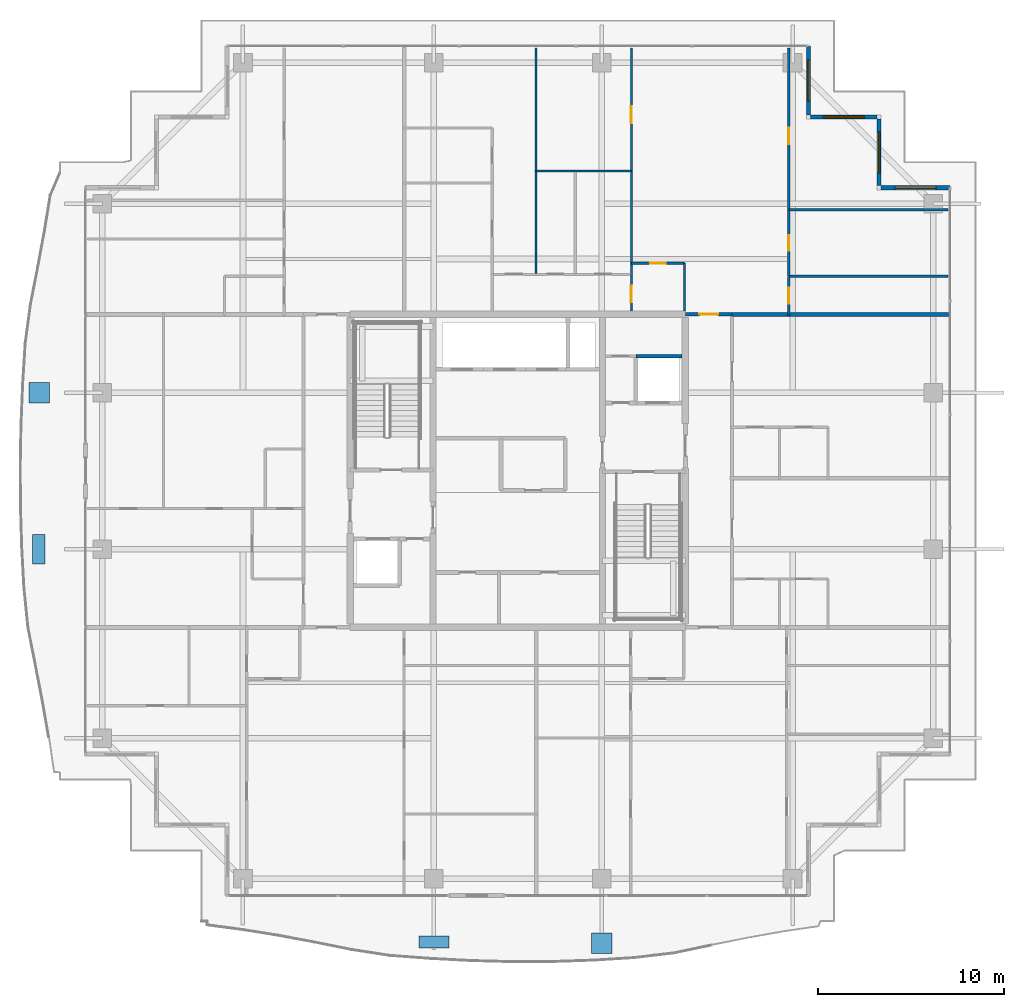
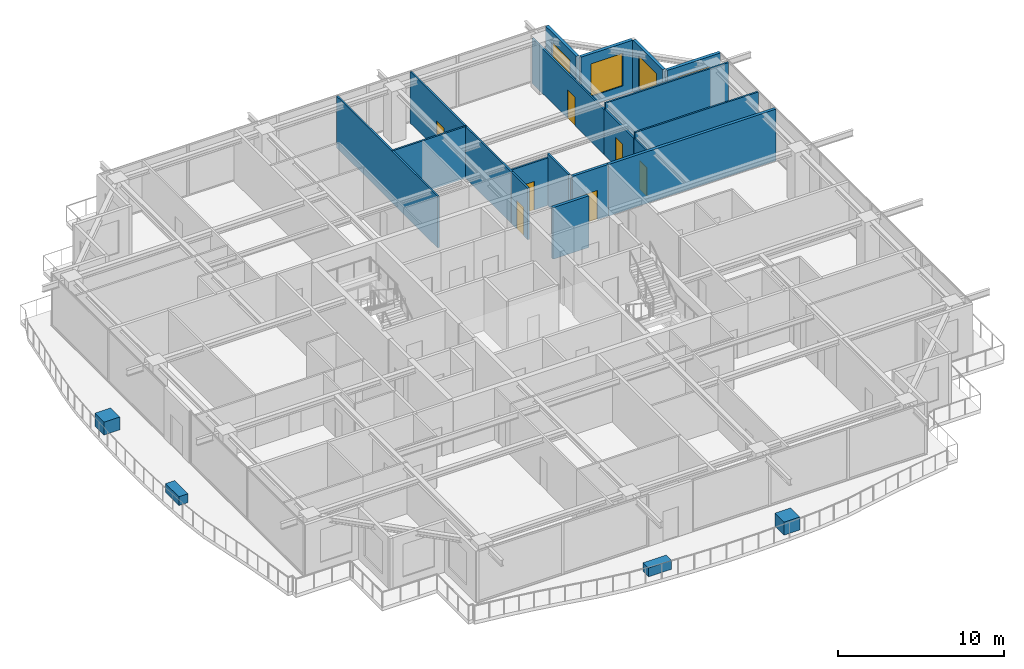
# One storey, part 31 of 38: 19 walls, 7 doors, 4 discrete accessories, 4 windows, 11 openings.
"""IFC4 building model written with IfcOpenShell, lengths in metres."""

from ifc_helpers import new_model, si_unit, direction, frame, frame_2d, origin, origin_2d, place, context, subcontext, project, spatial, rectangle, extrude, source, transform, mapped, material, layer, layer_set, type_object, element, fill, save


model = new_model("IFC4")

# Units and contexts
model_context = context("Model", 3, precision=1e-05, world=origin(), true_north=direction((0.0, 1.0)))
body_context = subcontext(model_context, "Body", "Model", "MODEL_VIEW")
ifc_project = project(units=[si_unit("LENGTHUNIT", "METRE"), si_unit("AREAUNIT", "SQUARE_METRE"), si_unit("VOLUMEUNIT", "CUBIC_METRE"), si_unit("PLANEANGLEUNIT", "RADIAN"), si_unit("MASSUNIT", "GRAM", prefix="KILO")], contexts=[model_context])

# Site, building, storey
site_placement = place(None, origin())
site = spatial("IfcSite", under=ifc_project, at=site_placement, CompositionType="ELEMENT")
building_placement = place(site_placement, origin())
building = spatial("IfcBuilding", under=site, at=building_placement, Name="Serunith Strait Residences", CompositionType="ELEMENT")
storey_placement = place(building_placement, frame((0.0, 0.0, 321.800048828125)))
storey = spatial("IfcBuildingStorey", under=building, at=storey_placement, Name="L80", CompositionType="ELEMENT", Elevation=321.800048828125)

# Wall, opening, window
ifc_material_1 = material(Name="Pale-Champagne Aluminium Insulated Panel", Category="aluminium")
ifc_layer_1 = layer(ifc_material_1, 0.219970703125, Name="Pale-Champagne Aluminium Insulated Panel")
ifc_layer_set_1 = layer_set([ifc_layer_1], Name="Pale-Champagne Aluminium Insulated Panel")
wall_type_1 = type_object("IfcWallType", Name="EW-ALUM-220", PredefinedType="ELEMENTEDWALL", material=ifc_layer_set_1)
wall_1_placement = place(storey_placement, frame((55.60009765625, 40.39990234375, 0.0), z_axis=(0.0, 0.0, 1.0), x_axis=(-1.0, 0.0, 0.0)))
wall_1 = element("IfcWall", 1, at=wall_1_placement, inside=storey, type_object=wall_type_1, Name="L80 Girih Serrated Corner Wall 07", PredefinedType="ELEMENTEDWALL", context=body_context, shape_type="SweptSolid", body=[
    extrude(rectangle(XDim=3.690185546875, YDim=0.219970703125, at=frame_2d((1.84521484375, 0.0))), origin(), (0.0, 0.0, 1.0), 3.77490234375),
])
opening_1_placement = place(wall_1_placement, frame((0.7451171875, 0.0, 0.64990234375)))
opening_1 = element("IfcOpeningElement", 2, at=opening_1_placement, cuts=wall_1, Name="Opening W-06", PredefinedType="OPENING", context=body_context, shape_type="SweptSolid", body=[
    extrude(rectangle(XDim=2.199951171875, YDim=2.39990234375, at=frame_2d((1.10009765625, 1.199951171875))), frame((0.0, 0.1201171875, 0.0), z_axis=(0.0, -1.0, 0.0), x_axis=(1.0, 0.0, 0.0)), (0.0, 0.0, 1.0), 0.239990234375),
])
ifc_material_2 = material(Name="Crown Penthouse Low-E Operable Window Glass", Category="glass")
window_type = type_object("IfcWindowType", Name="WIN-C6", PartitioningType="TRIPLE_PANEL_VERTICAL", PredefinedType="WINDOW", material=ifc_material_2)
shared_shape_1 = source(origin(), body_context, "Body", "SweptSolid", [
    extrude(rectangle(XDim=2.199951171875, YDim=2.39990234375, at=frame_2d((1.10009765625, 1.199951171875))), frame((0.0, 0.030029296875, 0.0), z_axis=(0.0, -1.0, 0.0), x_axis=(1.0, 0.0, 0.0)), (0.0, 0.0, 1.0), 0.06005859375),
])
window_1_placement = place(opening_1_placement, origin())
window_1 = element("IfcWindow", 3, at=window_1_placement, inside=storey, type_object=window_type, Name="L80 Corner Operable Fritted Window 07", OverallHeight=2.39990234375, OverallWidth=2.199951171875, PartitioningType="SINGLE_PANEL", PredefinedType="WINDOW", context=body_context, shape_type="MappedRepresentation", body=[
    mapped(shared_shape_1, transform((0.0, 0.0, 0.0), scale=1.0)),
])
fill(opening_1, window_1)

wall_2_placement = place(storey_placement, frame((51.800048828125, 40.510009765625, 0.0), z_axis=(0.0, 0.0, 1.0), x_axis=(0.0, 1.0, 0.0)))
wall_2 = element("IfcWall", 4, at=wall_2_placement, inside=storey, type_object=wall_type_1, Name="L80 Girih Serrated Corner Wall 08", PredefinedType="ELEMENTEDWALL", context=body_context, shape_type="SweptSolid", body=[
    extrude(rectangle(XDim=3.580078125, YDim=0.219970703125, at=frame_2d((1.7900390625, 0.0))), origin(), (0.0, 0.0, 1.0), 3.77490234375),
])
opening_2_placement = place(wall_2_placement, frame((0.68994140625, 0.0, 0.64990234375)))
opening_2 = element("IfcOpeningElement", 5, at=opening_2_placement, cuts=wall_2, Name="Opening W-06", PredefinedType="OPENING", context=body_context, shape_type="SweptSolid", body=[
    extrude(rectangle(XDim=2.199951171875, YDim=2.39990234375, at=frame_2d((1.10009765625, 1.199951171875))), frame((0.0, 0.1201171875, 0.0), z_axis=(0.0, -1.0, 0.0), x_axis=(1.0, 0.0, 0.0)), (0.0, 0.0, 1.0), 0.239990234375),
])
window_2_placement = place(opening_2_placement, origin())
window_2 = element("IfcWindow", 6, at=window_2_placement, inside=storey, type_object=window_type, Name="L80 Corner Operable Fritted Window 08", OverallHeight=2.39990234375, OverallWidth=2.199951171875, PartitioningType="SINGLE_PANEL", PredefinedType="WINDOW", context=body_context, shape_type="MappedRepresentation", body=[
    mapped(shared_shape_1, transform((0.0, 0.0, 0.0), scale=1.0)),
])
fill(opening_2, window_2)

wall_3_placement = place(storey_placement, frame((51.68994140625, 44.199951171875, 0.0), z_axis=(0.0, 0.0, 1.0), x_axis=(-1.0, 0.0, 0.0)))
wall_3 = element("IfcWall", 7, at=wall_3_placement, inside=storey, type_object=wall_type_1, Name="L80 Girih Serrated Corner Wall 09", PredefinedType="ELEMENTEDWALL", context=body_context, shape_type="SweptSolid", body=[
    extrude(rectangle(XDim=3.579833984375, YDim=0.219970703125, at=frame_2d((1.7900390625, 0.0))), origin(), (0.0, 0.0, 1.0), 3.77490234375),
])
opening_3_placement = place(wall_3_placement, frame((0.68994140625, 0.0, 0.64990234375)))
opening_3 = element("IfcOpeningElement", 8, at=opening_3_placement, cuts=wall_3, Name="Opening W-06", PredefinedType="OPENING", context=body_context, shape_type="SweptSolid", body=[
    extrude(rectangle(XDim=2.199951171875, YDim=2.39990234375, at=frame_2d((1.10009765625, 1.199951171875))), frame((0.0, 0.1201171875, 0.0), z_axis=(0.0, -1.0, 0.0), x_axis=(1.0, 0.0, 0.0)), (0.0, 0.0, 1.0), 0.239990234375),
])
window_3_placement = place(opening_3_placement, origin())
window_3 = element("IfcWindow", 9, at=window_3_placement, inside=storey, type_object=window_type, Name="L80 Corner Operable Fritted Window 09", OverallHeight=2.39990234375, OverallWidth=2.199951171875, PartitioningType="SINGLE_PANEL", PredefinedType="WINDOW", context=body_context, shape_type="MappedRepresentation", body=[
    mapped(shared_shape_1, transform((0.0, 0.0, 0.0), scale=1.0)),
])
fill(opening_3, window_3)

wall_4_placement = place(storey_placement, frame((48.0, 44.31005859375, 0.0), z_axis=(0.0, 0.0, 1.0), x_axis=(0.0, 1.0, 0.0)))
wall_4 = element("IfcWall", 10, at=wall_4_placement, inside=storey, type_object=wall_type_1, Name="L80 Girih Serrated Corner Wall 10", PredefinedType="ELEMENTEDWALL", context=body_context, shape_type="SweptSolid", body=[
    extrude(rectangle(XDim=3.68994140625, YDim=0.219970703125, at=frame_2d((1.844970703125, 0.0))), origin(), (0.0, 0.0, 1.0), 3.77490234375),
])
opening_4_placement = place(wall_4_placement, frame((0.7451171875, 0.0, 0.64990234375)))
opening_4 = element("IfcOpeningElement", 11, at=opening_4_placement, cuts=wall_4, Name="Opening W-06", PredefinedType="OPENING", context=body_context, shape_type="SweptSolid", body=[
    extrude(rectangle(XDim=2.199951171875, YDim=2.39990234375, at=frame_2d((1.10009765625, 1.199951171875))), frame((0.0, 0.1201171875, 0.0), z_axis=(0.0, -1.0, 0.0), x_axis=(1.0, 0.0, 0.0)), (0.0, 0.0, 1.0), 0.239990234375),
])
window_4_placement = place(opening_4_placement, origin())
window_4 = element("IfcWindow", 12, at=window_4_placement, inside=storey, type_object=window_type, Name="L80 Corner Operable Fritted Window 10", OverallHeight=2.39990234375, OverallWidth=2.199951171875, PartitioningType="SINGLE_PANEL", PredefinedType="WINDOW", context=body_context, shape_type="MappedRepresentation", body=[
    mapped(shared_shape_1, transform((0.0, 0.0, 0.0), scale=1.0)),
])
fill(opening_4, window_4)

# Wall, opening, door
ifc_material_3 = material(Name="Fire-rated acoustic gypsum partition")
ifc_layer_2 = layer(ifc_material_3, 0.179931640625, Name="Fire-rated acoustic gypsum partition")
ifc_layer_set_2 = layer_set([ifc_layer_2], Name="Fire-rated acoustic gypsum partition")
wall_type_2 = type_object("IfcWallType", Name="IW-CORR-180", PredefinedType="PARTITIONING", material=ifc_layer_set_2)
wall_5_placement = place(storey_placement, frame((41.402099609375, 33.60009765625, 0.0), z_axis=(0.0, 0.0, 1.0), x_axis=(1.0, 0.0, 0.0)))
wall_5 = element("IfcWall", 13, at=wall_5_placement, inside=storey, type_object=wall_type_2, Name="L80 Partition Wall 030", PredefinedType="PARTITIONING", context=body_context, shape_type="SweptSolid", body=[
    extrude(rectangle(XDim=2.495849609375, YDim=0.179931640625, at=frame_2d((1.248046875, 0.0))), origin(), (0.0, 0.0, 1.0), 3.7900390625),
])
opening_5_placement = place(wall_5_placement, frame((0.748046875, 0.0, 0.0)))
opening_5 = element("IfcOpeningElement", 14, at=opening_5_placement, cuts=wall_5, Name="Opening D-APT1000", PredefinedType="OPENING", context=body_context, shape_type="SweptSolid", body=[
    extrude(rectangle(XDim=1.0, YDim=2.14990234375, at=frame_2d((0.5, 1.074951171875))), frame((0.0, 0.10009765625, 0.0), z_axis=(0.0, -1.0, 0.0), x_axis=(1.0, 0.0, 0.0)), (0.0, 0.0, 1.0), 0.199951171875),
])
ifc_material_4 = material(Name="Solid timber engineered fire door", Category="wood")
door_type_1 = type_object("IfcDoorType", Name="ID-APT-1000", OperationType="NOTDEFINED", PredefinedType="DOOR", material=ifc_material_4)
shared_shape_2 = source(origin(), body_context, "Body", "SweptSolid", [
    extrude(rectangle(XDim=1.0, YDim=2.14990234375, at=frame_2d((0.5, 1.074951171875))), frame((0.0, 0.02490234375, 0.0), z_axis=(0.0, -1.0, 0.0), x_axis=(1.0, 0.0, 0.0)), (0.0, 0.0, 1.0), 0.050048828125),
])
door_1_placement = place(opening_5_placement, origin())
door_1 = element("IfcDoor", 15, at=door_1_placement, inside=storey, type_object=door_type_1, Name="L80 Unit 04 Entrance Door", OperationType="SINGLE_SWING_LEFT", OverallHeight=2.14990234375, OverallWidth=1.0, PredefinedType="DOOR", context=body_context, shape_type="MappedRepresentation", body=[
    mapped(shared_shape_2, transform((0.0, 0.0, 0.0), scale=1.0)),
])
fill(opening_5, door_1)

ifc_material_5 = material(Name="Lightweight steel-stud gypsum partition", Category="steel")
ifc_layer_3 = layer(ifc_material_5, 0.1201171875, Name="Lightweight steel-stud gypsum partition")
ifc_layer_set_3 = layer_set([ifc_layer_3], Name="Lightweight steel-stud gypsum partition")
wall_type_3 = type_object("IfcWallType", Name="IW-PART-120", PredefinedType="PARTITIONING", material=ifc_layer_set_3)
wall_6_placement = place(storey_placement, frame((38.5, 36.35009765625, 0.0), z_axis=(0.0, 0.0, 1.0), x_axis=(1.0, 0.0, 0.0)))
wall_6 = element("IfcWall", 16, at=wall_6_placement, inside=storey, type_object=wall_type_3, Name="L80 Partition Wall 064", PredefinedType="PARTITIONING", context=body_context, shape_type="SweptSolid", body=[
    extrude(rectangle(XDim=2.85009765625, YDim=0.1201171875, at=frame_2d((1.425048828125, 0.0))), origin(), (0.0, 0.0, 1.0), 3.491943359375),
])
opening_6_placement = place(wall_6_placement, frame((1.0, 0.0, 0.0)))
opening_6 = element("IfcOpeningElement", 17, at=opening_6_placement, cuts=wall_6, Name="Opening D-RM850", PredefinedType="OPENING", context=body_context, shape_type="SweptSolid", body=[
    extrude(rectangle(XDim=0.85009765625, YDim=2.10009765625, at=frame_2d((0.425048828125, 1.050048828125))), frame((0.0, 0.070068359375, 0.0), z_axis=(0.0, -1.0, 0.0), x_axis=(1.0, 0.0, 0.0)), (0.0, 0.0, 1.0), 0.14013671875),
])
ifc_material_6 = material(Name="Engineered timber flush study and kitchen door", Category="wood")
door_type_2 = type_object("IfcDoorType", Name="ID-ROOM-850", OperationType="NOTDEFINED", PredefinedType="DOOR", material=ifc_material_6)
shared_shape_3 = source(origin(), body_context, "Body", "SweptSolid", [
    extrude(rectangle(XDim=0.85009765625, YDim=2.10009765625, at=frame_2d((0.425048828125, 1.050048828125))), frame((0.0, 0.02490234375, 0.0), z_axis=(0.0, -1.0, 0.0), x_axis=(1.0, 0.0, 0.0)), (0.0, 0.0, 1.0), 0.050048828125),
])
door_2_placement = place(opening_6_placement, origin())
door_2 = element("IfcDoor", 18, at=door_2_placement, inside=storey, type_object=door_type_2, Name="L80 Kitchen 8004 Door", OperationType="SINGLE_SWING_RIGHT", OverallHeight=2.10009765625, OverallWidth=0.85009765625, PredefinedType="DOOR", context=body_context, shape_type="MappedRepresentation", body=[
    mapped(shared_shape_3, transform((0.0, 0.0, 0.0), scale=1.0)),
])
fill(opening_6, door_2)

# Wall
wall_7_placement = place(storey_placement, frame((41.35009765625, 36.35009765625, 0.0), z_axis=(0.0, 0.0, 1.0), x_axis=(0.0, -1.0, 0.0)))
element("IfcWall", 19, at=wall_7_placement, inside=storey, type_object=wall_type_3, Name="L80 Partition Wall 065", PredefinedType="PARTITIONING", context=body_context, shape_type="SweptSolid", body=[
    extrude(rectangle(XDim=2.5751953125, YDim=0.1201171875, at=frame_2d((1.28759765625, 0.0))), origin(), (0.0, 0.0, 1.0), 3.7900390625),
])

# Wall, opening, door
wall_8_placement = place(storey_placement, frame((38.5, 35.75, 0.0), z_axis=(0.0, 0.0, 1.0), x_axis=(0.0, -1.0, 0.0)))
wall_8 = element("IfcWall", 20, at=wall_8_placement, inside=storey, type_object=wall_type_3, Name="L80 Partition Wall 066", PredefinedType="PARTITIONING", context=body_context, shape_type="SweptSolid", body=[
    extrude(rectangle(XDim=1.97509765625, YDim=0.1201171875, at=frame_2d((0.987548828125, 0.0))), origin(), (0.0, 0.0, 1.0), 3.7900390625),
])
opening_7_placement = place(wall_8_placement, frame((0.60107421875, 0.0, 0.0)))
opening_7 = element("IfcOpeningElement", 21, at=opening_7_placement, cuts=wall_8, Name="Opening D-RM900", PredefinedType="OPENING", context=body_context, shape_type="SweptSolid", body=[
    extrude(rectangle(XDim=0.89990234375, YDim=2.10009765625, at=frame_2d((0.449951171875, 1.050048828125))), frame((0.0, 0.070068359375, 0.0), z_axis=(0.0, -1.0, 0.0), x_axis=(1.0, 0.0, 0.0)), (0.0, 0.0, 1.0), 0.14013671875),
])
ifc_material_7 = material(Name="Engineered timber flush bedroom door", Category="wood")
door_type_3 = type_object("IfcDoorType", Name="ID-ROOM-900", OperationType="NOTDEFINED", PredefinedType="DOOR", material=ifc_material_7)
shared_shape_4 = source(origin(), body_context, "Body", "SweptSolid", [
    extrude(rectangle(XDim=0.89990234375, YDim=2.10009765625, at=frame_2d((0.449951171875, 1.050048828125))), frame((0.0, 0.02490234375, 0.0), z_axis=(0.0, -1.0, 0.0), x_axis=(1.0, 0.0, 0.0)), (0.0, 0.0, 1.0), 0.050048828125),
])
door_3_placement = place(opening_7_placement, origin())
door_3 = element("IfcDoor", 22, at=door_3_placement, inside=storey, type_object=door_type_3, Name="L80 Hall W 8004 Door", OperationType="SINGLE_SWING_LEFT", OverallHeight=2.10009765625, OverallWidth=0.89990234375, PredefinedType="DOOR", context=body_context, shape_type="MappedRepresentation", body=[
    mapped(shared_shape_4, transform((0.0, 0.0, 0.0), scale=1.0)),
])
fill(opening_7, door_3)

wall_9_placement = place(storey_placement, frame((38.5, 47.905029296875, 0.0), z_axis=(0.0, 0.0, 1.0), x_axis=(0.0, -1.0, 0.0)))
wall_9 = element("IfcWall", 23, at=wall_9_placement, inside=storey, type_object=wall_type_3, Name="L80 Partition Wall 067", PredefinedType="PARTITIONING", context=body_context, shape_type="SweptSolid", body=[
    extrude(rectangle(XDim=6.60009765625, YDim=0.1201171875, at=frame_2d((3.300048828125, 0.0))), origin(), (0.0, 0.0, 1.0), 3.7900390625),
])
opening_8_placement = place(wall_9_placement, frame((3.135009765625, 0.0, 0.0)))
opening_8 = element("IfcOpeningElement", 24, at=opening_8_placement, cuts=wall_9, Name="Opening D-RM900", PredefinedType="OPENING", context=body_context, shape_type="SweptSolid", body=[
    extrude(rectangle(XDim=0.89990234375, YDim=2.10009765625, at=frame_2d((0.449951171875, 1.050048828125))), frame((0.0, 0.070068359375, 0.0), z_axis=(0.0, -1.0, 0.0), x_axis=(1.0, 0.0, 0.0)), (0.0, 0.0, 1.0), 0.14013671875),
])
door_4_placement = place(opening_8_placement, origin())
door_4 = element("IfcDoor", 25, at=door_4_placement, inside=storey, type_object=door_type_3, Name="L80 Formal Dining Room 1 8004 Door", OperationType="SINGLE_SWING_RIGHT", OverallHeight=2.10009765625, OverallWidth=0.89990234375, PredefinedType="DOOR", context=body_context, shape_type="MappedRepresentation", body=[
    mapped(shared_shape_4, transform((0.0, 0.0, 0.0), scale=1.0)),
])
fill(opening_8, door_4)

# Walls
wall_10_placement = place(storey_placement, frame((38.5, 41.302978515625, 0.0), z_axis=(0.0, 0.0, 1.0), x_axis=(0.0, -1.0, 0.0)))
element("IfcWall", 26, at=wall_10_placement, inside=storey, type_object=wall_type_3, Name="L80 Partition Wall 068", PredefinedType="PARTITIONING", context=body_context, shape_type="SweptSolid", body=[
    extrude(rectangle(XDim=5.551025390625, YDim=0.1201171875, at=frame_2d((2.775390625, 0.0))), origin(), (0.0, 0.0, 1.0), 3.7900390625),
])
wall_11_placement = place(storey_placement, frame((33.3798828125, 41.304931640625, 0.0), z_axis=(0.0, 0.0, 1.0), x_axis=(1.0, 0.0, 0.0)))
element("IfcWall", 27, at=wall_11_placement, inside=storey, type_object=wall_type_3, Name="L80 Partition Wall 069", PredefinedType="PARTITIONING", context=body_context, shape_type="SweptSolid", body=[
    extrude(rectangle(XDim=5.1201171875, YDim=0.1201171875, at=frame_2d((2.56005859375, 0.0))), origin(), (0.0, 0.0, 1.0), 3.7900390625),
])
wall_12_placement = place(storey_placement, frame((33.3798828125, 47.905029296875, 0.0), z_axis=(0.0, 0.0, 1.0), x_axis=(0.0, -1.0, 0.0)))
element("IfcWall", 28, at=wall_12_placement, inside=storey, type_object=wall_type_3, Name="L80 Partition Wall 070", PredefinedType="PARTITIONING", context=body_context, shape_type="SweptSolid", body=[
    extrude(rectangle(XDim=12.155029296875, YDim=0.1201171875, at=frame_2d((6.07763671875, 0.0))), origin(), (0.0, 0.0, 1.0), 3.7900390625),
])

# Wall, opening, door
wall_13_placement = place(storey_placement, frame((46.949951171875, 47.905029296875, 0.0), z_axis=(0.0, 0.0, 1.0), x_axis=(0.0, -1.0, 0.0)))
wall_13 = element("IfcWall", 29, at=wall_13_placement, inside=storey, type_object=wall_type_3, Name="L80 Partition Wall 080", PredefinedType="PARTITIONING", context=body_context, shape_type="SweptSolid", body=[
    extrude(rectangle(XDim=8.68798828125, YDim=0.1201171875, at=frame_2d((4.343994140625, 0.0))), origin(), (0.0, 0.0, 1.0), 3.2919921875),
])
opening_9_placement = place(wall_13_placement, frame((4.282958984375, 0.0, 0.0)))
opening_9 = element("IfcOpeningElement", 30, at=opening_9_placement, cuts=wall_13, Name="Opening D-RM900", PredefinedType="OPENING", context=body_context, shape_type="SweptSolid", body=[
    extrude(rectangle(XDim=0.89990234375, YDim=2.10009765625, at=frame_2d((0.449951171875, 1.050048828125))), frame((0.0, 0.070068359375, 0.0), z_axis=(0.0, -1.0, 0.0), x_axis=(1.0, 0.0, 0.0)), (0.0, 0.0, 1.0), 0.14013671875),
])
door_5_placement = place(opening_9_placement, origin())
door_5 = element("IfcDoor", 31, at=door_5_placement, inside=storey, type_object=door_type_3, Name="L80 Bedroom 3 8004 Door", OperationType="SINGLE_SWING_RIGHT", OverallHeight=2.10009765625, OverallWidth=0.89990234375, PredefinedType="DOOR", context=body_context, shape_type="MappedRepresentation", body=[
    mapped(shared_shape_4, transform((0.0, 0.0, 0.0), scale=1.0)),
])
fill(opening_9, door_5)

# Walls
for number, where, z_axis, x_axis, name in (
    (32, (46.949951171875, 39.217041015625, 0.0), (0.0, 0.0, 1.0), (1.0, 0.0, 0.0), "L80 Partition Wall 081"),
    (33, (46.949951171875, 35.64990234375, 0.0), (0.0, 0.0, 1.0), (1.0, 0.0, 0.0), "L80 Partition Wall 082"),
):
    element("IfcWall", number, at=place(storey_placement, frame(where, z_axis=z_axis, x_axis=x_axis)), inside=storey, type_object=wall_type_3, Name=name, PredefinedType="PARTITIONING", context=body_context, shape_type="SweptSolid", body=[
        extrude(rectangle(XDim=8.554931640625, YDim=0.1201171875, at=frame_2d((4.27734375, 0.0))), origin(), (0.0, 0.0, 1.0), 3.7900390625),
    ])

# Wall, opening, door
wall_14_placement = place(storey_placement, frame((46.949951171875, 39.215087890625, 0.0), z_axis=(0.0, 0.0, 1.0), x_axis=(0.0, -1.0, 0.0)))
wall_14 = element("IfcWall", 34, at=wall_14_placement, inside=storey, type_object=wall_type_3, Name="L80 Partition Wall 083", PredefinedType="PARTITIONING", context=body_context, shape_type="SweptSolid", body=[
    extrude(rectangle(XDim=3.565185546875, YDim=0.1201171875, at=frame_2d((1.78271484375, 0.0))), origin(), (0.0, 0.0, 1.0), 3.3720703125),
])
opening_10_placement = place(wall_14_placement, frame((1.35791015625, 0.0, 0.0)))
opening_10 = element("IfcOpeningElement", 35, at=opening_10_placement, cuts=wall_14, Name="Opening D-RM850", PredefinedType="OPENING", context=body_context, shape_type="SweptSolid", body=[
    extrude(rectangle(XDim=0.85009765625, YDim=2.10009765625, at=frame_2d((0.425048828125, 1.050048828125))), frame((0.0, 0.070068359375, 0.0), z_axis=(0.0, -1.0, 0.0), x_axis=(1.0, 0.0, 0.0)), (0.0, 0.0, 1.0), 0.14013671875),
])
door_6_placement = place(opening_10_placement, origin())
door_6 = element("IfcDoor", 36, at=door_6_placement, inside=storey, type_object=door_type_2, Name="L80 Walk-in Wardrobe 8004 Door", OperationType="SINGLE_SWING_LEFT", OverallHeight=2.10009765625, OverallWidth=0.85009765625, PredefinedType="DOOR", context=body_context, shape_type="MappedRepresentation", body=[
    mapped(shared_shape_3, transform((0.0, 0.0, 0.0), scale=1.0)),
])
fill(opening_10, door_6)

wall_15_placement = place(storey_placement, frame((46.949951171875, 35.64794921875, 0.0), z_axis=(0.0, 0.0, 1.0), x_axis=(0.0, -1.0, 0.0)))
wall_15 = element("IfcWall", 37, at=wall_15_placement, inside=storey, type_object=wall_type_3, Name="L80 Partition Wall 084", PredefinedType="PARTITIONING", context=body_context, shape_type="SweptSolid", body=[
    extrude(rectangle(XDim=2.10791015625, YDim=0.1201171875, at=frame_2d((1.053955078125, 0.0))), origin(), (0.0, 0.0, 1.0), 3.3720703125),
])
opening_11_placement = place(wall_15_placement, frame((0.62890625, 0.0, 0.0)))
opening_11 = element("IfcOpeningElement", 38, at=opening_11_placement, cuts=wall_15, Name="Opening D-BTH850", PredefinedType="OPENING", context=body_context, shape_type="SweptSolid", body=[
    extrude(rectangle(XDim=0.85009765625, YDim=2.10009765625, at=frame_2d((0.425048828125, 1.050048828125))), frame((0.0, 0.070068359375, 0.0), z_axis=(0.0, -1.0, 0.0), x_axis=(1.0, 0.0, 0.0)), (0.0, 0.0, 1.0), 0.14013671875),
])
ifc_material_8 = material(Name="Moisture-resistant timber bathroom door", Category="wood")
door_type_4 = type_object("IfcDoorType", Name="ID-BATH-850", OperationType="NOTDEFINED", PredefinedType="DOOR", material=ifc_material_8)
door_7_placement = place(opening_11_placement, origin())
door_7 = element("IfcDoor", 39, at=door_7_placement, inside=storey, type_object=door_type_4, Name="L80 Bathroom 8004 Door", OperationType="SINGLE_SWING_RIGHT", OverallHeight=2.10009765625, OverallWidth=0.85009765625, PredefinedType="DOOR", context=body_context, shape_type="MappedRepresentation", body=[
    mapped(shared_shape_3, transform((0.0, 0.0, 0.0), scale=1.0)),
])
fill(opening_11, door_7)

# Walls
ifc_material_9 = material(Name="Twin-stud acoustic gypsum board partition")
ifc_layer_4 = layer(ifc_material_9, 0.199951171875, Name="Twin-stud acoustic gypsum board partition")
ifc_layer_set_4 = layer_set([ifc_layer_4], Name="Twin-stud acoustic gypsum board partition")
wall_type_4 = type_object("IfcWallType", Name="IW-PARTY-200", PredefinedType="PARTITIONING", material=ifc_layer_set_4)
wall_16_placement = place(storey_placement, frame((43.89990234375, 33.60009765625, 0.0), z_axis=(0.0, 0.0, 1.0), x_axis=(1.0, 0.0, 0.0)))
element("IfcWall", 40, at=wall_16_placement, inside=storey, type_object=wall_type_4, Name="L80 Partition Wall 025", PredefinedType="PARTITIONING", context=body_context, shape_type="SweptSolid", body=[
    extrude(rectangle(XDim=11.6181640625, YDim=0.199951171875, at=frame_2d((5.80908203125, 0.0))), origin(), (0.0, 0.0, 1.0), 3.7900390625),
])
ifc_material_10 = material(Name="Autoclaved aerated concrete blockwork", Category="masonry")
ifc_layer_5 = layer(ifc_material_10, 0.199951171875, Name="Autoclaved aerated concrete blockwork")
ifc_layer_set_5 = layer_set([ifc_layer_5], Name="Autoclaved aerated concrete blockwork")
wall_type_5 = type_object("IfcWallType", Name="IW-SHAFT-200", PredefinedType="STANDARD", material=ifc_layer_set_5)
wall_17_placement = place(storey_placement, frame((38.75, 31.35009765625, 0.0), z_axis=(0.0, 0.0, 1.0), x_axis=(1.0, 0.0, 0.0)))
element("IfcWall", 41, at=wall_17_placement, inside=storey, type_object=wall_type_5, Name="L80 Partition Wall 005", PredefinedType="STANDARD", context=body_context, shape_type="SweptSolid", body=[
    extrude(rectangle(XDim=2.47509765625, YDim=0.199951171875, at=frame_2d((1.237548828125, 0.0))), origin(), (0.0, 0.0, 1.0), 3.7900390625),
])

# Discrete accessories
ifc_material_11 = material(Name="GFRC Root-Anchored Structural Planter")
discrete_accessory_type_1 = type_object("IfcDiscreteAccessoryType", Name="ACC-PLANTER-TREE", PredefinedType="USERDEFINED", material=ifc_material_11)
shared_shape_5 = source(origin(), body_context, "Body", "SweptSolid", [
    extrude(rectangle(XDim=1.10009765625, YDim=1.10009765625, at=origin_2d()), origin(), (0.0, 0.0, 1.0), 0.949951171875),
])
for number, where, z_axis, x_axis, name in (
    (42, (36.89990234375, -0.14208984375, -0.0498046875), (0.0, 0.0, 1.0), (1.0, 0.0, 0.0), "L80 Vertical-Forest Tree Planter 03"),
    (43, (6.717041015625, 29.39990234375, -0.0498046875), (0.0, 0.0, 1.0), (0.0, -1.0, 0.0), "L80 Vertical-Forest Tree Planter 15"),
):
    element("IfcDiscreteAccessory", number, at=place(storey_placement, frame(where, z_axis=z_axis, x_axis=x_axis)), inside=storey, type_object=discrete_accessory_type_1, Name=name, ObjectType="PLANTER", PredefinedType="USERDEFINED", context=body_context, shape_type="MappedRepresentation", body=[
        mapped(shared_shape_5, transform((0.0, 0.0, 0.0), scale=1.0)),
    ])
ifc_material_12 = material(Name="GFRC Irrigated Shrub Trough Planter")
discrete_accessory_type_2 = type_object("IfcDiscreteAccessoryType", Name="ACC-PLANTER-SHRUB", PredefinedType="USERDEFINED", material=ifc_material_12)
shared_shape_6 = source(origin(), body_context, "Body", "SweptSolid", [
    extrude(rectangle(XDim=1.60009765625, YDim=0.64990234375, at=origin_2d()), origin(), (0.0, 0.0, 1.0), 0.64990234375),
])
for number, where, z_axis, x_axis, name in (
    (44, (27.89990234375, -0.085693359375, -0.050048828125), (0.0, 0.0, 1.0), (1.0, 0.0, 0.0), "L80 Vertical-Forest Shrub Planter 02"),
    (45, (6.69140625, 21.0, -0.050048828125), (0.0, 0.0, 1.0), (0.0, -1.0, 0.0), "L80 Vertical-Forest Shrub Planter 14"),
):
    element("IfcDiscreteAccessory", number, at=place(storey_placement, frame(where, z_axis=z_axis, x_axis=x_axis)), inside=storey, type_object=discrete_accessory_type_2, Name=name, ObjectType="PLANTER", PredefinedType="USERDEFINED", context=body_context, shape_type="MappedRepresentation", body=[
        mapped(shared_shape_6, transform((0.0, 0.0, 0.0), scale=1.0)),
    ])

save(model, "model.ifc")
